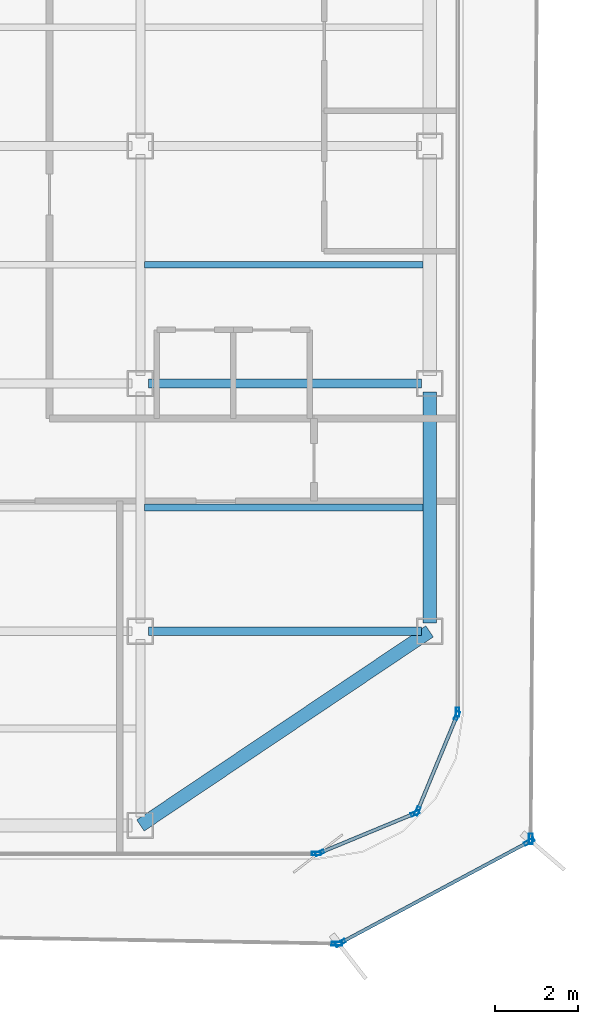
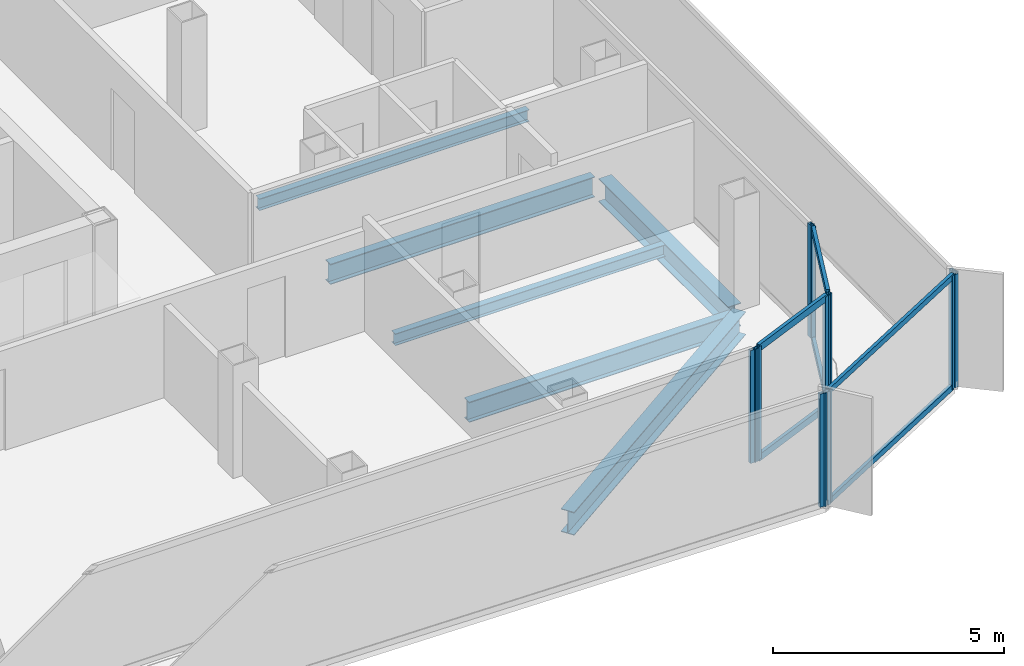
# One storey, part 4 of 15: 16 members, 6 beams, 7 elements without a shape of their own.
"""IFC4 building model written with IfcOpenShell, lengths in metres."""

from ifc_helpers import new_model, si_unit, direction, frame, origin, origin_2d, place, context, subcontext, project, spatial, hollow_rectangle, i_section, extrude, source, transform, mapped, material, layer, layer_set, material_profile, profile_set, type_object, element, aggregate, save


model = new_model("IFC4")

# Units and contexts
model_context = context("Model", 3, precision=1e-05, world=origin(), true_north=direction((0.0, 1.0)))
body_context = subcontext(model_context, "Body", "Model", "MODEL_VIEW")
ifc_project = project(units=[si_unit("LENGTHUNIT", "METRE"), si_unit("AREAUNIT", "SQUARE_METRE"), si_unit("VOLUMEUNIT", "CUBIC_METRE"), si_unit("PLANEANGLEUNIT", "RADIAN"), si_unit("MASSUNIT", "GRAM", prefix="KILO")], contexts=[model_context])

# Site, building, storey
site_placement = place(None, origin())
site = spatial("IfcSite", under=ifc_project, at=site_placement, CompositionType="ELEMENT")
building_placement = place(site_placement, origin())
building = spatial("IfcBuilding", under=site, at=building_placement, Name="Kolveth Station Tower", CompositionType="ELEMENT")
storey_placement = place(building_placement, frame((0.0, 0.0, 229.699951171875)))
storey = spatial("IfcBuildingStorey", under=building, at=storey_placement, Name="L65", CompositionType="ELEMENT", Elevation=229.699951171875)

# Beams
ifc_material_1 = material(Name="Steel S355", Category="steel")
ifc_material_profile_1 = material_profile(ifc_material_1, i_section(OverallWidth=0.323974609375, OverallDepth=0.611083984375, WebThickness=0.0126953125, FlangeThickness=0.01904296875, at=origin_2d()), Name="W610x155")
ifc_profile_set_1 = profile_set([ifc_material_profile_1], Name="Steel S355")
beam_type_1 = type_object("IfcBeamType", Name="Beam_SP2", PredefinedType="SPANDREL", material=ifc_profile_set_1)
shared_shape_1 = source(origin(), body_context, "Body", "SweptSolid", [
    extrude(i_section(OverallWidth=0.323974609375, OverallDepth=0.611083984375, WebThickness=0.0126953125, FlangeThickness=0.01904296875, at=origin_2d()), origin(), (0.0, 0.0, 1.0), 8.431396484375),
])
beam_1_placement = place(storey_placement, frame((34.0, 0.800048828125, -0.525390625), z_axis=(0.830223811004, 0.557430196206, 0.0), x_axis=(-0.557430196206, 0.830223811004, 0.0)))
element("IfcBeam", 1, at=beam_1_placement, inside=storey, type_object=beam_type_1, Name="L65 Corner Edge Girder BM-L65-CNR-SE", PredefinedType="SPANDREL", context=body_context, shape_type="MappedRepresentation", body=[
    mapped(shared_shape_1, transform((0.0, 0.0, 0.0), x_axis=(1.0, 0.0, 0.0), y_axis=(0.0, 1.0, 0.0), z_axis=(0.0, 0.0, 1.0), scale=1.0)),
])
shared_shape_2 = source(origin(), body_context, "Body", "SweptSolid", [
    extrude(i_section(OverallWidth=0.323974609375, OverallDepth=0.611083984375, WebThickness=0.0126953125, FlangeThickness=0.01904296875, at=origin_2d()), origin(), (0.0, 0.0, 1.0), 5.60009765625),
])
beam_2_placement = place(storey_placement, frame((41.0, 5.699951171875, -0.525390625), z_axis=(0.0, 1.0, 0.0), x_axis=(-1.0, 0.0, 0.0)))
element("IfcBeam", 2, at=beam_2_placement, inside=storey, type_object=beam_type_1, Name="L65 Perimeter Spandrel BM-L65-PE-1", PredefinedType="SPANDREL", context=body_context, shape_type="MappedRepresentation", body=[
    mapped(shared_shape_2, transform((0.0, 0.0, 0.0), x_axis=(1.0, 0.0, 0.0), y_axis=(0.0, 1.0, 0.0), z_axis=(0.0, 0.0, 1.0), scale=1.0)),
])
ifc_material_profile_2 = material_profile(ifc_material_1, i_section(OverallWidth=0.2099609375, OverallDepth=0.537109375, WebThickness=0.010986328125, FlangeThickness=0.017333984375, at=origin_2d()), Name="W530x101")
ifc_profile_set_2 = profile_set([ifc_material_profile_2], Name="Steel S355")
beam_type_2 = type_object("IfcBeamType", Name="Beam_B6", PredefinedType="BEAM", material=ifc_profile_set_2)
shared_shape_3 = source(origin(), body_context, "Body", "SweptSolid", [
    extrude(i_section(OverallWidth=0.2099609375, OverallDepth=0.537109375, WebThickness=0.010986328125, FlangeThickness=0.017333984375, at=origin_2d()), origin(), (0.0, 0.0, 1.0), 6.60009765625),
])
for number, where, z_axis, x_axis, name in (
    (3, (34.199951171875, 5.5, -0.488525390625), (1.0, 0.0, 0.0), (0.0, 1.0, 0.0), "L65 Primary Girder BM-L65-GY55-5"),
    (4, (34.199951171875, 11.5, -0.488525390625), (1.0, 0.0, 0.0), (0.0, 1.0, 0.0), "L65 Primary Girder BM-L65-GY115-5"),
):
    element("IfcBeam", number, at=place(storey_placement, frame(where, z_axis=z_axis, x_axis=x_axis)), inside=storey, type_object=beam_type_2, Name=name, PredefinedType="BEAM", context=body_context, shape_type="MappedRepresentation", body=[
        mapped(shared_shape_3, transform((0.0, 0.0, 0.0), x_axis=(1.0, 0.0, 0.0), y_axis=(0.0, 1.0, 0.0), z_axis=(0.0, 0.0, 1.0), scale=1.0)),
    ])
ifc_material_profile_3 = material_profile(ifc_material_1, i_section(OverallWidth=0.1650390625, OverallDepth=0.31005859375, WebThickness=0.005859375, FlangeThickness=0.009765625, at=origin_2d()), Name="W310x39")
ifc_profile_set_3 = profile_set([ifc_material_profile_3], Name="Steel S355")
beam_type_3 = type_object("IfcBeamType", Name="Beam_J3", PredefinedType="JOIST", material=ifc_profile_set_3)
shared_shape_4 = source(origin(), body_context, "Body", "SweptSolid", [
    extrude(i_section(OverallWidth=0.1650390625, OverallDepth=0.31005859375, WebThickness=0.005859375, FlangeThickness=0.009765625, at=origin_2d()), origin(), (0.0, 0.0, 1.0), 6.737060546875),
])
for number, where, z_axis, x_axis, name in (
    (5, (34.10302734375, 8.5, -0.375), (1.0, 0.0, 0.0), (0.0, 1.0, 0.0), "L65 Secondary Joist JST-L65-5-2"),
    (6, (34.10302734375, 14.375, -0.375), (1.0, 0.0, 0.0), (0.0, 1.0, 0.0), "L65 Secondary Joist JST-L65-5-3"),
):
    element("IfcBeam", number, at=place(storey_placement, frame(where, z_axis=z_axis, x_axis=x_axis)), inside=storey, type_object=beam_type_3, Name=name, PredefinedType="JOIST", context=body_context, shape_type="MappedRepresentation", body=[
        mapped(shared_shape_4, transform((0.0, 0.0, 0.0), x_axis=(1.0, 0.0, 0.0), y_axis=(0.0, 1.0, 0.0), z_axis=(0.0, 0.0, 1.0), scale=1.0)),
    ])

# Curtain wall, members
ifc_material_2 = material(Name="Black anodized aluminium 6063-T6 and dark solar glass", Category="aluminium")
ifc_layer_1 = layer(ifc_material_2, 0.159912109375)
ifc_layer_set_1 = layer_set([ifc_layer_1], Name="Black anodized aluminium 6063-T6 and dark solar glass")
curtain_wall_type_1 = type_object("IfcCurtainWallType", Name="OUTER SKIN CW-OS", PredefinedType="NOTDEFINED", material=ifc_layer_set_1)
curtain_wall_1_placement = place(storey_placement, origin())
curtain_wall_1 = element("IfcCurtainWall", 7, at=curtain_wall_1_placement, inside=storey, type_object=curtain_wall_type_1, Name="L65 Outer Ventilated Skin Curtain Wall 1", PredefinedType="NOTDEFINED")
ifc_material_3 = material(Name="Black anodized aluminium 6063-T6", Category="aluminium")
ifc_material_profile_4 = material_profile(ifc_material_3, hollow_rectangle(XDim=0.090087890625, YDim=0.260009765625, WallThickness=0.0048828125, at=origin_2d()), Name="ALU-90x260x5")
ifc_profile_set_4 = profile_set([ifc_material_profile_4], Name="Black anodized aluminium 6063-T6")
member_type_1 = type_object("IfcMemberType", Name="FIN MULLION ML-OS", PredefinedType="MULLION", material=ifc_profile_set_4)
shared_shape_5 = source(origin(), body_context, "Body", "SweptSolid", [
    extrude(hollow_rectangle(XDim=0.090087890625, YDim=0.260009765625, WallThickness=0.0048828125, at=origin_2d()), origin(), (0.0, 0.0, 1.0), 2.989990234375),
])
member_1_placement = place(storey_placement, frame((38.840576171875, -2.043212890625, 0.0), z_axis=(0.0, 0.0, 1.0), x_axis=(-0.472489620455, 0.881336234682, 0.0)))
member_1 = element("IfcMember", 8, at=member_1_placement, type_object=member_type_1, Name="CW-OS mullion 1", PredefinedType="MULLION", context=body_context, shape_type="MappedRepresentation", body=[
    mapped(shared_shape_5, transform((0.0, 0.0, 0.0), x_axis=(1.0, 0.0, 0.0), y_axis=(0.0, 1.0, 0.0), z_axis=(0.0, 0.0, 1.0), scale=1.0)),
])
member_2_placement = place(storey_placement, frame((43.411376953125, 0.4072265625, 0.0), z_axis=(0.0, 0.0, 1.0), x_axis=(-0.472489620455, 0.881336234682, 0.0)))
member_2 = element("IfcMember", 9, at=member_2_placement, type_object=member_type_1, Name="CW-OS mullion 2", PredefinedType="MULLION", context=body_context, shape_type="MappedRepresentation", body=[
    mapped(shared_shape_5, transform((0.0, 0.0, 0.0), x_axis=(1.0, 0.0, 0.0), y_axis=(0.0, 1.0, 0.0), z_axis=(0.0, 0.0, 1.0), scale=1.0)),
])

# Curtain wall, member
curtain_wall_2_placement = place(storey_placement, origin())
curtain_wall_2 = element("IfcCurtainWall", 10, at=curtain_wall_2_placement, inside=storey, type_object=curtain_wall_type_1, Name="L65 Outer Ventilated Skin Curtain Wall 2", PredefinedType="NOTDEFINED")
member_3_placement = place(storey_placement, frame((43.451416015625, 0.4736328125, 0.0), z_axis=(0.0, 0.0, 1.0), x_axis=(-0.999974173773, 0.007186917807, 0.0)))
member_3 = element("IfcMember", 11, at=member_3_placement, type_object=member_type_1, Name="CW-OS mullion 1", PredefinedType="MULLION", context=body_context, shape_type="MappedRepresentation", body=[
    mapped(shared_shape_5, transform((0.0, 0.0, 0.0), x_axis=(1.0, 0.0, 0.0), y_axis=(0.0, 1.0, 0.0), z_axis=(0.0, 0.0, 1.0), scale=1.0)),
])
aggregate(curtain_wall_2, [member_3])

curtain_wall_3_placement = place(storey_placement, origin())
curtain_wall_3 = element("IfcCurtainWall", 12, at=curtain_wall_3_placement, inside=storey, type_object=curtain_wall_type_1, Name="L65 Outer Ventilated Skin Curtain Wall 8", PredefinedType="NOTDEFINED")
member_4_placement = place(storey_placement, frame((38.755859375, -2.063720703125, 0.0), z_axis=(0.0, 0.0, 1.0), x_axis=(0.017489181543, 0.999847052568, 0.0)))
member_4 = element("IfcMember", 13, at=member_4_placement, type_object=member_type_1, Name="CW-OS mullion 2", PredefinedType="MULLION", context=body_context, shape_type="MappedRepresentation", body=[
    mapped(shared_shape_5, transform((0.0, 0.0, 0.0), x_axis=(1.0, 0.0, 0.0), y_axis=(0.0, 1.0, 0.0), z_axis=(0.0, 0.0, 1.0), scale=1.0)),
])
aggregate(curtain_wall_3, [member_4])

# Curtain wall, members
ifc_material_4 = material(Name="Aluminium 6063-T6 and triple low-E dark glass", Category="aluminium")
ifc_layer_2 = layer(ifc_material_4, 0.199951171875)
ifc_layer_set_2 = layer_set([ifc_layer_2], Name="Aluminium 6063-T6 and triple low-E dark glass")
curtain_wall_type_2 = type_object("IfcCurtainWallType", Name="CurtainWall_CW-Z3", PredefinedType="NOTDEFINED", material=ifc_layer_set_2)
curtain_wall_4_placement = place(storey_placement, origin())
curtain_wall_4 = element("IfcCurtainWall", 14, at=curtain_wall_4_placement, inside=storey, type_object=curtain_wall_type_2, Name="L65 Inner Thermal Curtain Wall 1", PredefinedType="NOTDEFINED")
ifc_material_profile_5 = material_profile(ifc_material_3, hollow_rectangle(XDim=0.0849609375, YDim=0.215087890625, WallThickness=0.0048828125, at=origin_2d()), Name="ALU-85x215x5")
ifc_profile_set_5 = profile_set([ifc_material_profile_5], Name="Black anodized aluminium 6063-T6")
member_type_2 = type_object("IfcMemberType", Name="Mullion_ML3", PredefinedType="MULLION", material=ifc_profile_set_5)
shared_shape_6 = source(origin(), body_context, "Body", "SweptSolid", [
    extrude(hollow_rectangle(XDim=0.0849609375, YDim=0.215087890625, WallThickness=0.0048828125, at=origin_2d()), origin(), (0.0, 0.0, 1.0), 2.97998046875),
])
member_5_placement = place(storey_placement, frame((38.33935546875, 0.13623046875, 0.0), z_axis=(0.0, 0.0, 1.0), x_axis=(-0.382693194181, 0.923875488975, 0.0)))
member_5 = element("IfcMember", 15, at=member_5_placement, type_object=member_type_2, Name="CW-Z3 mullion 1", PredefinedType="MULLION", context=body_context, shape_type="MappedRepresentation", body=[
    mapped(shared_shape_6, transform((0.0, 0.0, 0.0), x_axis=(1.0, 0.0, 0.0), y_axis=(0.0, 1.0, 0.0), z_axis=(0.0, 0.0, 1.0), scale=1.0)),
])
member_6_placement = place(storey_placement, frame((40.650634765625, 1.09375, 0.0), z_axis=(0.0, 0.0, 1.0), x_axis=(-0.382693194181, 0.923875488975, 0.0)))
member_6 = element("IfcMember", 16, at=member_6_placement, type_object=member_type_2, Name="CW-Z3 mullion 2", PredefinedType="MULLION", context=body_context, shape_type="MappedRepresentation", body=[
    mapped(shared_shape_6, transform((0.0, 0.0, 0.0), x_axis=(1.0, 0.0, 0.0), y_axis=(0.0, 1.0, 0.0), z_axis=(0.0, 0.0, 1.0), scale=1.0)),
])

curtain_wall_5_placement = place(storey_placement, origin())
curtain_wall_5 = element("IfcCurtainWall", 17, at=curtain_wall_5_placement, inside=storey, type_object=curtain_wall_type_2, Name="L65 Inner Thermal Curtain Wall 2", PredefinedType="NOTDEFINED")
member_7_placement = place(storey_placement, frame((40.706298828125, 1.149169921875, 0.0), z_axis=(0.0, 0.0, 1.0), x_axis=(-0.923875488975, 0.382693194181, 0.0)))
member_7 = element("IfcMember", 18, at=member_7_placement, type_object=member_type_2, Name="CW-Z3 mullion 1", PredefinedType="MULLION", context=body_context, shape_type="MappedRepresentation", body=[
    mapped(shared_shape_6, transform((0.0, 0.0, 0.0), x_axis=(1.0, 0.0, 0.0), y_axis=(0.0, 1.0, 0.0), z_axis=(0.0, 0.0, 1.0), scale=1.0)),
])
member_8_placement = place(storey_placement, frame((41.663818359375, 3.460693359375, 0.0), z_axis=(0.0, 0.0, 1.0), x_axis=(-0.923875488975, 0.382693194181, 0.0)))
member_8 = element("IfcMember", 19, at=member_8_placement, type_object=member_type_2, Name="CW-Z3 mullion 2", PredefinedType="MULLION", context=body_context, shape_type="MappedRepresentation", body=[
    mapped(shared_shape_6, transform((0.0, 0.0, 0.0), x_axis=(1.0, 0.0, 0.0), y_axis=(0.0, 1.0, 0.0), z_axis=(0.0, 0.0, 1.0), scale=1.0)),
])

# Curtain wall, member
curtain_wall_6_placement = place(storey_placement, origin())
curtain_wall_6 = element("IfcCurtainWall", 20, at=curtain_wall_6_placement, inside=storey, type_object=curtain_wall_type_2, Name="L65 Inner Thermal Curtain Wall 3", PredefinedType="NOTDEFINED")
member_9_placement = place(storey_placement, frame((41.679931640625, 3.54248046875, 0.0), z_axis=(0.0, 0.0, 1.0), x_axis=(-1.0, 0.0, 0.0)))
member_9 = element("IfcMember", 21, at=member_9_placement, type_object=member_type_2, Name="CW-Z3 mullion 1", PredefinedType="MULLION", context=body_context, shape_type="MappedRepresentation", body=[
    mapped(shared_shape_6, transform((0.0, 0.0, 0.0), x_axis=(1.0, 0.0, 0.0), y_axis=(0.0, 1.0, 0.0), z_axis=(0.0, 0.0, 1.0), scale=1.0)),
])
aggregate(curtain_wall_6, [member_9])

curtain_wall_7_placement = place(storey_placement, origin())
curtain_wall_7 = element("IfcCurtainWall", 22, at=curtain_wall_7_placement, inside=storey, type_object=curtain_wall_type_2, Name="L65 Inner Thermal Curtain Wall 12", PredefinedType="NOTDEFINED")
member_10_placement = place(storey_placement, frame((38.257568359375, 0.1201171875, 0.0), z_axis=(0.0, 0.0, 1.0), x_axis=(0.0, 1.0, 0.0)))
member_10 = element("IfcMember", 23, at=member_10_placement, type_object=member_type_2, Name="CW-Z3 mullion 2", PredefinedType="MULLION", context=body_context, shape_type="MappedRepresentation", body=[
    mapped(shared_shape_6, transform((0.0, 0.0, 0.0), x_axis=(1.0, 0.0, 0.0), y_axis=(0.0, 1.0, 0.0), z_axis=(0.0, 0.0, 1.0), scale=1.0)),
])
aggregate(curtain_wall_7, [member_10])

# Member
ifc_material_profile_6 = material_profile(ifc_material_3, hollow_rectangle(XDim=0.0849609375, YDim=0.179931640625, WallThickness=0.0048828125, at=origin_2d()), Name="ALU-85x180x5")
ifc_profile_set_6 = profile_set([ifc_material_profile_6], Name="Black anodized aluminium 6063-T6")
member_type_3 = type_object("IfcMemberType", Name="Transom_TR3", PredefinedType="USERDEFINED", material=ifc_profile_set_6)
shared_shape_7 = source(origin(), body_context, "Body", "SweptSolid", [
    extrude(hollow_rectangle(XDim=0.0849609375, YDim=0.179931640625, WallThickness=0.0048828125, at=origin_2d()), origin(), (0.0, 0.0, 1.0), 2.4169921875),
])
member_11_placement = place(storey_placement, frame((38.37841796875, 0.152587890625, 0.04248046875), z_axis=(0.923908507952, 0.382613471971, 0.0), x_axis=(-0.382613471971, 0.923908507952, 0.0)))
member_11 = element("IfcMember", 24, at=member_11_placement, type_object=member_type_3, Name="CW-Z3 transom 1.1", ObjectType="TRANSOM", PredefinedType="USERDEFINED", context=body_context, shape_type="MappedRepresentation", body=[
    mapped(shared_shape_7, transform((0.0, 0.0, 0.0), x_axis=(1.0, 0.0, 0.0), y_axis=(0.0, 1.0, 0.0), z_axis=(0.0, 0.0, 1.0), scale=1.0)),
])

member_12_placement = place(storey_placement, frame((38.37841796875, 0.152587890625, 2.9375), z_axis=(0.923908507952, 0.382613471971, 0.0), x_axis=(-0.382613471971, 0.923908507952, 0.0)))
member_12 = element("IfcMember", 25, at=member_12_placement, type_object=member_type_3, Name="CW-Z3 transom 1.2", ObjectType="TRANSOM", PredefinedType="USERDEFINED", context=body_context, shape_type="MappedRepresentation", body=[
    mapped(shared_shape_7, transform((0.0, 0.0, 0.0), x_axis=(1.0, 0.0, 0.0), y_axis=(0.0, 1.0, 0.0), z_axis=(0.0, 0.0, 1.0), scale=1.0)),
])

aggregate(curtain_wall_4, [member_5, member_6, member_11, member_12])

member_13_placement = place(storey_placement, frame((40.722412109375, 1.1884765625, 0.04248046875), z_axis=(0.382735401206, 0.9238580046, 0.0), x_axis=(-0.9238580046, 0.382735401206, 0.0)))
member_13 = element("IfcMember", 26, at=member_13_placement, type_object=member_type_3, Name="CW-Z3 transom 1.1", ObjectType="TRANSOM", PredefinedType="USERDEFINED", context=body_context, shape_type="MappedRepresentation", body=[
    mapped(shared_shape_7, transform((0.0, 0.0, 0.0), x_axis=(1.0, 0.0, 0.0), y_axis=(0.0, 1.0, 0.0), z_axis=(0.0, 0.0, 1.0), scale=1.0)),
])

member_14_placement = place(storey_placement, frame((40.722412109375, 1.1884765625, 2.9375), z_axis=(0.382735401206, 0.9238580046, 0.0), x_axis=(-0.9238580046, 0.382735401206, 0.0)))
member_14 = element("IfcMember", 27, at=member_14_placement, type_object=member_type_3, Name="CW-Z3 transom 1.2", ObjectType="TRANSOM", PredefinedType="USERDEFINED", context=body_context, shape_type="MappedRepresentation", body=[
    mapped(shared_shape_7, transform((0.0, 0.0, 0.0), x_axis=(1.0, 0.0, 0.0), y_axis=(0.0, 1.0, 0.0), z_axis=(0.0, 0.0, 1.0), scale=1.0)),
])

aggregate(curtain_wall_5, [member_7, member_8, member_13, member_14])

ifc_material_profile_7 = material_profile(ifc_material_3, hollow_rectangle(XDim=0.080078125, YDim=0.14990234375, WallThickness=0.0048828125, at=origin_2d()), Name="ALU-80x150x5")
ifc_profile_set_7 = profile_set([ifc_material_profile_7], Name="Black anodized aluminium 6063-T6")
member_type_4 = type_object("IfcMemberType", Name="Transom_TR-OS", PredefinedType="USERDEFINED", material=ifc_profile_set_7)
shared_shape_8 = source(origin(), body_context, "Body", "SweptSolid", [
    extrude(hollow_rectangle(XDim=0.080078125, YDim=0.14990234375, WallThickness=0.0048828125, at=origin_2d()), origin(), (0.0, 0.0, 1.0), 5.096435546875),
])
member_15_placement = place(storey_placement, frame((38.880126953125, -2.02197265625, 0.0400390625), z_axis=(0.881341774453, 0.472479286957, 0.0), x_axis=(-0.472479286957, 0.881341774453, 0.0)))
member_15 = element("IfcMember", 28, at=member_15_placement, type_object=member_type_4, Name="CW-OS transom 1.1", ObjectType="TRANSOM", PredefinedType="USERDEFINED", context=body_context, shape_type="MappedRepresentation", body=[
    mapped(shared_shape_8, transform((0.0, 0.0, 0.0), x_axis=(1.0, 0.0, 0.0), y_axis=(0.0, 1.0, 0.0), z_axis=(0.0, 0.0, 1.0), scale=1.0)),
])

member_16_placement = place(storey_placement, frame((38.880126953125, -2.02197265625, 2.949951171875), z_axis=(0.881341774453, 0.472479286957, 0.0), x_axis=(-0.472479286957, 0.881341774453, 0.0)))
member_16 = element("IfcMember", 29, at=member_16_placement, type_object=member_type_4, Name="CW-OS transom 1.2", ObjectType="TRANSOM", PredefinedType="USERDEFINED", context=body_context, shape_type="MappedRepresentation", body=[
    mapped(shared_shape_8, transform((0.0, 0.0, 0.0), x_axis=(1.0, 0.0, 0.0), y_axis=(0.0, 1.0, 0.0), z_axis=(0.0, 0.0, 1.0), scale=1.0)),
])

aggregate(curtain_wall_1, [member_1, member_2, member_15, member_16])

save(model, "model.ifc")
